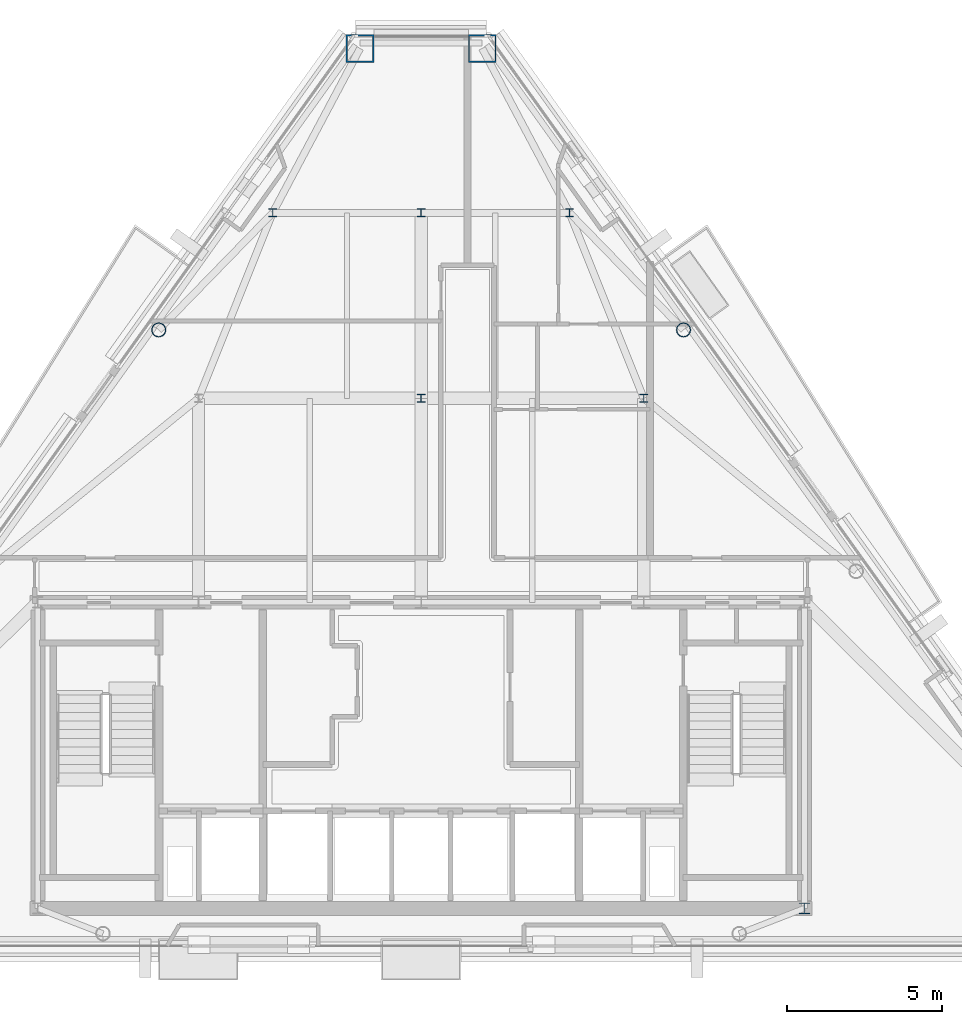
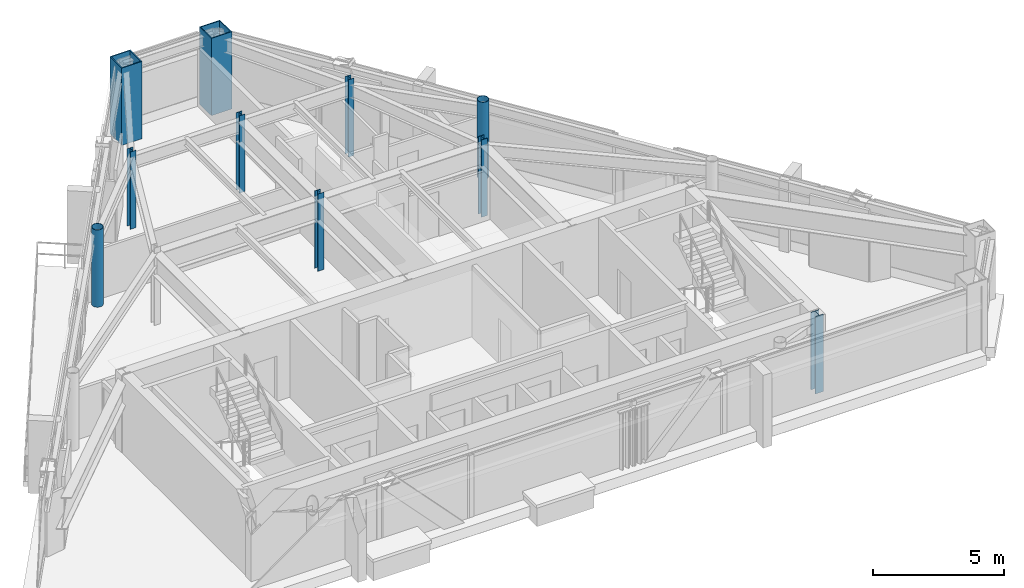
# One storey, part 2 of 12: 10 columns.
"""IFC4 building model written with IfcOpenShell, lengths in metres."""

from ifc_helpers import new_model, si_unit, direction, frame, origin, origin_2d, place, context, subcontext, project, spatial, hollow_rectangle, hollow_circle, i_section, extrude, material, material_profile, profile_set, type_object, element, save


model = new_model("IFC4")

# Units and contexts
model_context = context("Model", 3, precision=1e-05, world=origin(), true_north=direction((0.0, 1.0)))
body_context = subcontext(model_context, "Body", "Model", "MODEL_VIEW")
ifc_project = project(units=[si_unit("LENGTHUNIT", "METRE"), si_unit("AREAUNIT", "SQUARE_METRE"), si_unit("VOLUMEUNIT", "CUBIC_METRE"), si_unit("PLANEANGLEUNIT", "RADIAN"), si_unit("MASSUNIT", "GRAM", prefix="KILO")], contexts=[model_context])

# Site, building, storey
site_placement = place(None, origin())
site = spatial("IfcSite", under=ifc_project, at=site_placement, CompositionType="ELEMENT")
building_placement = place(site_placement, origin())
building = spatial("IfcBuilding", under=site, at=building_placement, Name="Talgorran Terracotta Tower", CompositionType="ELEMENT")
storey_placement = place(building_placement, frame((0.0, 0.0, 267.0)))
storey = spatial("IfcBuildingStorey", under=building, at=storey_placement, Name="L70", CompositionType="ELEMENT", Elevation=267.0)

# Columns
ifc_material_1 = material(Name="Steel S355 (300PLUS)", Category="steel")
ifc_material_profile_1 = material_profile(ifc_material_1, i_section(OverallWidth=0.256103515625, OverallDepth=0.260009765625, WebThickness=0.010498046875, FlangeThickness=0.017333984375, at=origin_2d()), Name="250UC89.5")
ifc_profile_set_1 = profile_set([ifc_material_profile_1], Name="Steel S355 (300PLUS)")
column_type_1 = type_object("IfcColumnType", Name="COL_250UC89", PredefinedType="COLUMN", material=ifc_profile_set_1)
for number, where, z_axis, x_axis, name in (
    (1, (0.0, 2.39990234375, 0.0), (0.0, 0.0, 1.0), (1.0, 0.0, 0.0), "L70 Interior Gravity Column IC2"),
    (2, (7.199951171875, 2.39990234375, 0.0), (0.0, 0.0, 1.0), (1.0, 0.0, 0.0), "L70 Interior Gravity Column IC3"),
    (3, (-4.800048828125, 8.39990234375, 0.0), (0.0, 0.0, 1.0), (1.0, 0.0, 0.0), "L70 Interior Gravity Column IC4"),
    (4, (0.0, 8.39990234375, 0.0), (0.0, 0.0, 1.0), (1.0, 0.0, 0.0), "L70 Interior Gravity Column IC5"),
    (5, (4.800048828125, 8.39990234375, 0.0), (0.0, 0.0, 1.0), (1.0, 0.0, 0.0), "L70 Interior Gravity Column IC6"),
):
    element("IfcColumn", number, at=place(storey_placement, frame(where, z_axis=z_axis, x_axis=x_axis)), inside=storey, type_object=column_type_1, Name=name, PredefinedType="COLUMN", context=body_context, shape_type="SweptSolid", body=[
        extrude(i_section(OverallWidth=0.256103515625, OverallDepth=0.260009765625, WebThickness=0.010498046875, FlangeThickness=0.017333984375, at=origin_2d()), origin(), (0.0, 0.0, 1.0), 3.60009765625),
    ])
ifc_material_profile_2 = material_profile(ifc_material_1, i_section(OverallWidth=0.35205078125, OverallDepth=0.35888671875, WebThickness=0.01806640625, FlangeThickness=0.02587890625, at=origin_2d()), Name="350WC197")
ifc_profile_set_2 = profile_set([ifc_material_profile_2], Name="Steel S355 (300PLUS)")
column_type_2 = type_object("IfcColumnType", Name="COL_350WC197", PredefinedType="COLUMN", material=ifc_profile_set_2)
column_placement = place(storey_placement, frame((12.39990234375, -14.10009765625, 0.0), z_axis=(0.0, 0.0, 1.0), x_axis=(1.0, 0.0, 0.0)))
element("IfcColumn", 6, at=column_placement, inside=storey, type_object=column_type_2, Name="L70 Core Boundary Column CC2", PredefinedType="COLUMN", context=body_context, shape_type="SweptSolid", body=[
    extrude(i_section(OverallWidth=0.35205078125, OverallDepth=0.35888671875, WebThickness=0.01806640625, FlangeThickness=0.02587890625, at=origin_2d()), origin(), (0.0, 0.0, 1.0), 3.60009765625),
])
ifc_material_2 = material(Name="Steel Grade 350 (350L0)", Category="steel")
ifc_material_profile_3 = material_profile(ifc_material_2, hollow_rectangle(XDim=0.89990234375, YDim=0.89990234375, WallThickness=0.0400390625, at=origin_2d()), Name="CFT900X900X40")
ifc_profile_set_3 = profile_set([ifc_material_profile_3], Name="Steel Grade 350 (350L0)")
column_type_3 = type_object("IfcColumnType", Name="COL_CFT_900", PredefinedType="COLUMN", material=ifc_profile_set_3)
for number, where, z_axis, x_axis, name in (
    (7, (1.97509765625, 13.716796875, 0.0), (0.0, 0.0, 1.0), (1.0, 0.0, 0.0), "L70 Corner CFT Mega-Column MC5"),
    (8, (-1.97509765625, 13.716796875, 0.0), (0.0, 0.0, 1.0), (1.0, 0.0, 0.0), "L70 Corner CFT Mega-Column MC6"),
):
    element("IfcColumn", number, at=place(storey_placement, frame(where, z_axis=z_axis, x_axis=x_axis)), inside=storey, type_object=column_type_3, Name=name, PredefinedType="COLUMN", context=body_context, shape_type="SweptSolid", body=[
        extrude(hollow_rectangle(XDim=0.89990234375, YDim=0.89990234375, WallThickness=0.0400390625, at=origin_2d()), origin(), (0.0, 0.0, 1.0), 3.60009765625),
    ])
ifc_material_3 = material(Name="Steel S350 (C350L0)", Category="steel")
ifc_material_profile_4 = material_profile(ifc_material_3, hollow_circle(Radius=0.228515625, WallThickness=0.01611328125, at=origin_2d()), Name="CHS457X16")
ifc_profile_set_4 = profile_set([ifc_material_profile_4], Name="Steel S350 (C350L0)")
column_type_4 = type_object("IfcColumnType", Name="COL_CHS_457", PredefinedType="COLUMN", material=ifc_profile_set_4)
for number, where, z_axis, x_axis, name in (
    (9, (8.488525390625, 4.609619140625, 0.0), (0.0, 0.0, 1.0), (1.0, 0.0, 0.0), "L70 Facet Perimeter Column FC4"),
    (10, (-8.488525390625, 4.609619140625, 0.0), (0.0, 0.0, 1.0), (1.0, 0.0, 0.0), "L70 Facet Perimeter Column FC5"),
):
    element("IfcColumn", number, at=place(storey_placement, frame(where, z_axis=z_axis, x_axis=x_axis)), inside=storey, type_object=column_type_4, Name=name, PredefinedType="COLUMN", context=body_context, shape_type="SweptSolid", body=[
        extrude(hollow_circle(Radius=0.228515625, WallThickness=0.01611328125, at=origin_2d()), origin(), (0.0, 0.0, 1.0), 3.60009765625),
    ])

save(model, "model.ifc")
